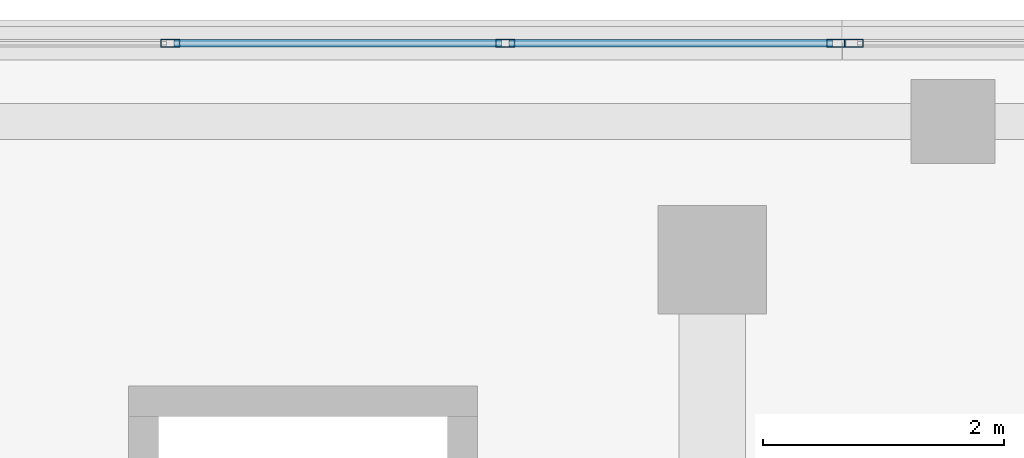
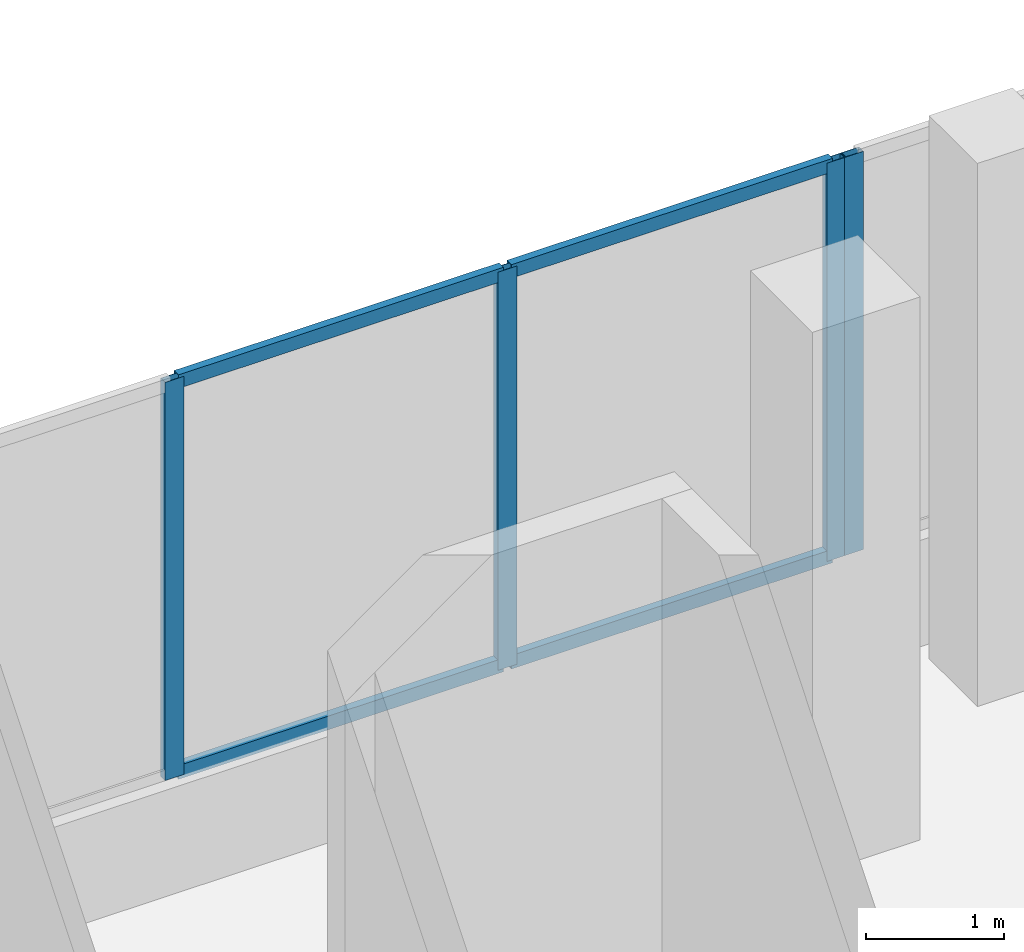
# One storey, part 108 of 155: 8 members, 2 elements without a shape of their own.
"""IFC4 building model written with IfcOpenShell, lengths in metres."""

from ifc_helpers import new_model, si_unit, direction, frame, origin, origin_2d, place, context, subcontext, project, spatial, hollow_rectangle, extrude, material, material_profile, profile_set, type_object, element, aggregate, save


model = new_model("IFC4")

# Units and contexts
model_context = context("Model", 3, precision=1e-05, world=origin(), true_north=direction((0.0, 1.0)))
body_context = subcontext(model_context, "Body", "Model", "MODEL_VIEW")
ifc_project = project(units=[si_unit("LENGTHUNIT", "METRE"), si_unit("AREAUNIT", "SQUARE_METRE"), si_unit("VOLUMEUNIT", "CUBIC_METRE"), si_unit("PLANEANGLEUNIT", "RADIAN"), si_unit("MASSUNIT", "GRAM", prefix="KILO")], contexts=[model_context])

# Site, building, storey
site_placement = place(None, origin())
site = spatial("IfcSite", under=ifc_project, at=site_placement, CompositionType="ELEMENT")
building_placement = place(site_placement, origin())
building = spatial("IfcBuilding", under=site, at=building_placement, Name="Selatvlak General Hospital", CompositionType="ELEMENT")
storey_placement = place(building_placement, frame((0.0, 0.0, 10.199951171875)))
storey = spatial("IfcBuildingStorey", under=building, at=storey_placement, Name="L02", CompositionType="ELEMENT", Elevation=10.199951171875)

# Curtain wall, members
ifc_material_1 = material(Name="Solar-control Low-E double glazing", Category="glass")
curtain_wall_type_1 = type_object("IfcCurtainWallType", Name="CW-CW-01", PredefinedType="USERDEFINED", material=ifc_material_1)
curtain_wall_1_placement = place(storey_placement, origin())
curtain_wall_1 = element("IfcCurtainWall", 1, at=curtain_wall_1_placement, inside=storey, type_object=curtain_wall_type_1, Name="Glazed facade curtain wall CW-L02-0258", ObjectType="UNITISED CURTAIN WALL", PredefinedType="USERDEFINED")
ifc_material_2 = material(Name="Dark anodised aluminium mullion", Category="aluminium")
ifc_material_profile_1 = material_profile(ifc_material_2, hollow_rectangle(XDim=0.06494140625, YDim=0.159912109375, WallThickness=0.00390625, at=origin_2d()), Name="AL-MUL 65x160x4")
ifc_profile_set_1 = profile_set([ifc_material_profile_1], Name="Dark anodised aluminium mullion")
member_type_1 = type_object("IfcMemberType", Name="CWM-01", PredefinedType="MULLION", material=ifc_profile_set_1)
member_1_placement = place(storey_placement, frame((142.897216796875, 120.0, 0.93994140625), z_axis=(0.0, 0.0, 1.0), x_axis=(0.0, 1.0, 0.0)))
member_1 = element("IfcMember", 2, at=member_1_placement, type_object=member_type_1, Name="CW-01 mullion 2", PredefinedType="MULLION", context=body_context, shape_type="SweptSolid", body=[
    extrude(hollow_rectangle(XDim=0.06494140625, YDim=0.159912109375, WallThickness=0.00390625, at=origin_2d()), origin(), (0.0, 0.0, 1.0), 3.52001953125),
])
member_2_placement = place(storey_placement, frame((145.6806640625, 120.0, 0.93994140625), z_axis=(0.0, 0.0, 1.0), x_axis=(0.0, 1.0, 0.0)))
member_2 = element("IfcMember", 3, at=member_2_placement, type_object=member_type_1, Name="CW-01 mullion 3", PredefinedType="MULLION", context=body_context, shape_type="SweptSolid", body=[
    extrude(hollow_rectangle(XDim=0.06494140625, YDim=0.159912109375, WallThickness=0.00390625, at=origin_2d()), origin(), (0.0, 0.0, 1.0), 3.52001953125),
])
member_3_placement = place(storey_placement, frame((148.431396484375, 120.0, 0.93994140625), z_axis=(0.0, 0.0, 1.0), x_axis=(0.0, 1.0, 0.0)))
member_3 = element("IfcMember", 4, at=member_3_placement, type_object=member_type_1, Name="CW-01 mullion 4", PredefinedType="MULLION", context=body_context, shape_type="SweptSolid", body=[
    extrude(hollow_rectangle(XDim=0.06494140625, YDim=0.159912109375, WallThickness=0.00390625, at=origin_2d()), origin(), (0.0, 0.0, 1.0), 3.52001953125),
])

# Curtain wall, member
curtain_wall_type_2 = type_object("IfcCurtainWallType", Name="CW-CW-02", PredefinedType="USERDEFINED", material=ifc_material_1)
curtain_wall_2_placement = place(storey_placement, origin())
curtain_wall_2 = element("IfcCurtainWall", 5, at=curtain_wall_2_placement, inside=storey, type_object=curtain_wall_type_2, Name="Glazed facade curtain wall CW-L02-0259", ObjectType="UNITISED CURTAIN WALL", PredefinedType="USERDEFINED")
member_4_placement = place(storey_placement, frame((148.576416015625, 120.0, 0.93994140625), z_axis=(0.0, 0.0, 1.0), x_axis=(0.0, 1.0, 0.0)))
member_4 = element("IfcMember", 6, at=member_4_placement, type_object=member_type_1, Name="CW-02 mullion 1", PredefinedType="MULLION", context=body_context, shape_type="SweptSolid", body=[
    extrude(hollow_rectangle(XDim=0.06494140625, YDim=0.159912109375, WallThickness=0.00390625, at=origin_2d()), origin(), (0.0, 0.0, 1.0), 3.52001953125),
])
aggregate(curtain_wall_2, [member_4])

# Member
ifc_material_profile_2 = material_profile(ifc_material_2, hollow_rectangle(XDim=0.06494140625, YDim=0.1201171875, WallThickness=0.00390625, at=origin_2d()), Name="AL-TRN 65x120x4")
ifc_profile_set_2 = profile_set([ifc_material_profile_2], Name="Dark anodised aluminium mullion")
member_type_2 = type_object("IfcMemberType", Name="CWT-01", PredefinedType="USERDEFINED", material=ifc_profile_set_2)
member_5_placement = place(storey_placement, frame((142.929931640625, 120.0, 0.97265625), z_axis=(1.0, 0.0, 0.0), x_axis=(0.0, 1.0, 0.0)))
member_5 = element("IfcMember", 7, at=member_5_placement, type_object=member_type_2, Name="CW-01 transom 2.1", ObjectType="TRANSOM", PredefinedType="USERDEFINED", context=body_context, shape_type="SweptSolid", body=[
    extrude(hollow_rectangle(XDim=0.06494140625, YDim=0.1201171875, WallThickness=0.00390625, at=origin_2d()), origin(), (0.0, 0.0, 1.0), 2.71826171875),
])

member_6_placement = place(storey_placement, frame((142.929931640625, 120.0, 4.427490234375), z_axis=(1.0, 0.0, 0.0), x_axis=(0.0, 1.0, 0.0)))
member_6 = element("IfcMember", 8, at=member_6_placement, type_object=member_type_2, Name="CW-01 transom 2.2", ObjectType="TRANSOM", PredefinedType="USERDEFINED", context=body_context, shape_type="SweptSolid", body=[
    extrude(hollow_rectangle(XDim=0.06494140625, YDim=0.1201171875, WallThickness=0.00390625, at=origin_2d()), origin(), (0.0, 0.0, 1.0), 2.71826171875),
])

member_7_placement = place(storey_placement, frame((145.713134765625, 120.0, 0.97265625), z_axis=(1.0, 0.0, 0.0), x_axis=(0.0, 1.0, 0.0)))
member_7 = element("IfcMember", 9, at=member_7_placement, type_object=member_type_2, Name="CW-01 transom 3.1", ObjectType="TRANSOM", PredefinedType="USERDEFINED", context=body_context, shape_type="SweptSolid", body=[
    extrude(hollow_rectangle(XDim=0.06494140625, YDim=0.1201171875, WallThickness=0.00390625, at=origin_2d()), origin(), (0.0, 0.0, 1.0), 2.685791015625),
])

member_8_placement = place(storey_placement, frame((145.713134765625, 120.0, 4.427490234375), z_axis=(1.0, 0.0, 0.0), x_axis=(0.0, 1.0, 0.0)))
member_8 = element("IfcMember", 10, at=member_8_placement, type_object=member_type_2, Name="CW-01 transom 3.2", ObjectType="TRANSOM", PredefinedType="USERDEFINED", context=body_context, shape_type="SweptSolid", body=[
    extrude(hollow_rectangle(XDim=0.06494140625, YDim=0.1201171875, WallThickness=0.00390625, at=origin_2d()), origin(), (0.0, 0.0, 1.0), 2.685791015625),
])

aggregate(curtain_wall_1, [member_1, member_2, member_3, member_5, member_6, member_7, member_8])

save(model, "model.ifc")
